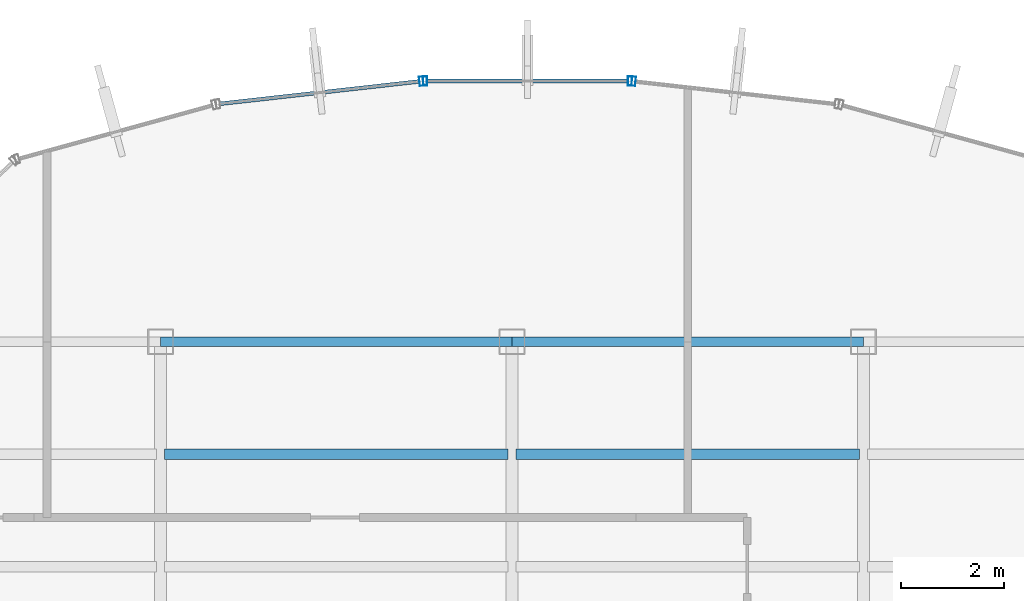
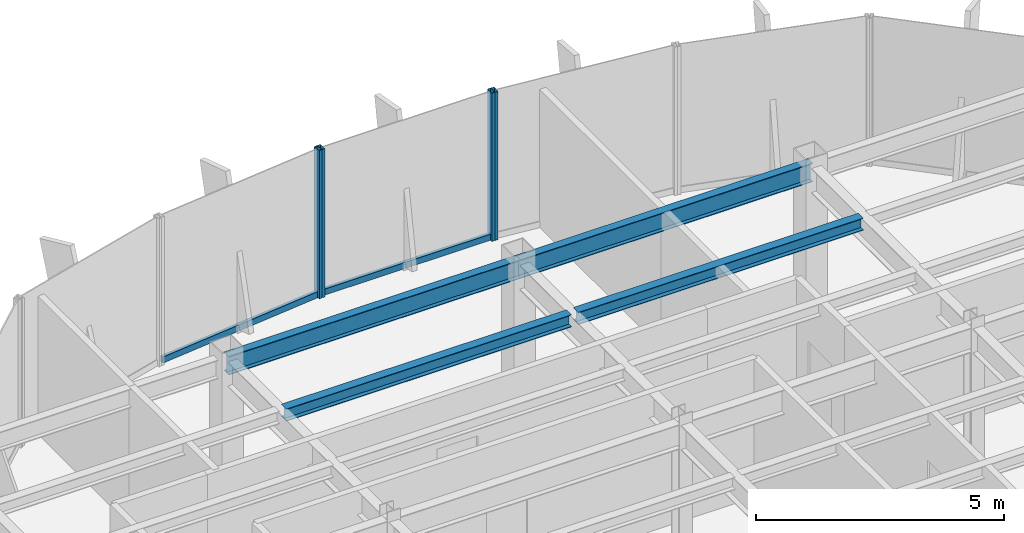
# One storey, part 13 of 22: 6 members, 4 beams, 3 elements without a shape of their own.
"""IFC4 building model written with IfcOpenShell, lengths in metres."""

from ifc_helpers import new_model, si_unit, derived_unit, direction, frame, origin, origin_2d, place, context, subcontext, project, spatial, hollow_rectangle, i_section, extrude, source, transform, mapped, material, material_profile, profile_set, type_object, element, aggregate, save


model = new_model("IFC4")

# Units and contexts
model_context = context("Model", 3, precision=1e-05, world=origin(), true_north=direction((0.0, 1.0)))
body_context = subcontext(model_context, "Body", "Model", "MODEL_VIEW")
ifc_project = project(units=[si_unit("LENGTHUNIT", "METRE"), si_unit("AREAUNIT", "SQUARE_METRE"), si_unit("VOLUMEUNIT", "CUBIC_METRE"), si_unit("PLANEANGLEUNIT", "RADIAN"), si_unit("MASSUNIT", "GRAM", prefix="KILO"), derived_unit("THERMALTRANSMITTANCEUNIT", [(si_unit("POWERUNIT", "WATT"), 1), (si_unit("LENGTHUNIT", "METRE"), -2), (si_unit("THERMODYNAMICTEMPERATUREUNIT", "KELVIN"), -1)])], contexts=[model_context])

# Site, building, storey
site_placement = place(None, origin())
site = spatial("IfcSite", under=ifc_project, at=site_placement, CompositionType="ELEMENT")
building_placement = place(site_placement, origin())
building = spatial("IfcBuilding", under=site, at=building_placement, Name="Skarnbrae Concourse Arena and Tower", CompositionType="ELEMENT")
storey_placement = place(building_placement, frame((0.0, 0.0, 277.050048828125)))
storey = spatial("IfcBuildingStorey", under=building, at=storey_placement, Name="L72", CompositionType="ELEMENT", Elevation=277.050048828125)

# Beams
ifc_material_1 = material(Name="Steel CSA G40.21 350W", Category="steel")
ifc_material_profile_1 = material_profile(ifc_material_1, i_section(OverallWidth=0.19091796875, OverallDepth=0.4599609375, WebThickness=0.010009765625, FlangeThickness=0.01611328125, at=origin_2d()), Name="W460X82")
ifc_profile_set_1 = profile_set([ifc_material_profile_1], Name="Steel CSA G40.21 350W")
beam_type_1 = type_object("IfcBeamType", Name="BM-SPAN-W460X82", PredefinedType="SPANDREL", material=ifc_profile_set_1)
shared_shape_1 = source(origin(), body_context, "Body", "SweptSolid", [
    extrude(i_section(OverallWidth=0.19091796875, OverallDepth=0.4599609375, WebThickness=0.010009765625, FlangeThickness=0.01611328125, at=origin_2d()), origin(), (0.0, 0.0, 1.0), 6.800048828125),
])
for number, where, z_axis, x_axis, name in (
    (1, (14.39990234375, 34.39990234375, 3.169921875), (1.0, 0.0, 0.0), (0.0, 1.0, 0.0), "L72 Perimeter spandrel Y34.4-2"),
    (2, (21.199951171875, 34.39990234375, 3.169921875), (1.0, 0.0, 0.0), (0.0, 1.0, 0.0), "L72 Perimeter spandrel Y34.4-3"),
):
    element("IfcBeam", number, at=place(storey_placement, frame(where, z_axis=z_axis, x_axis=x_axis)), inside=storey, type_object=beam_type_1, Name=name, PredefinedType="SPANDREL", context=body_context, shape_type="MappedRepresentation", body=[
        mapped(shared_shape_1, transform((0.0, 0.0, 0.0))),
    ])
ifc_material_profile_2 = material_profile(ifc_material_1, i_section(OverallWidth=0.202880859375, OverallDepth=0.302978515625, WebThickness=0.007568359375, FlangeThickness=0.01318359375, at=origin_2d()), Name="W310X60")
ifc_profile_set_2 = profile_set([ifc_material_profile_2], Name="Steel CSA G40.21 350W")
beam_type_2 = type_object("IfcBeamType", Name="BM-JOIST-W310X60", PredefinedType="JOIST", material=ifc_profile_set_2)
shared_shape_2 = source(origin(), body_context, "Body", "SweptSolid", [
    extrude(i_section(OverallWidth=0.202880859375, OverallDepth=0.302978515625, WebThickness=0.007568359375, FlangeThickness=0.01318359375, at=origin_2d()), origin(), (0.0, 0.0, 1.0), 6.64013671875),
])
beam_1_placement = place(storey_placement, frame((14.47998046875, 32.221923828125, 3.24853515625), z_axis=(1.0, 0.0, 0.0), x_axis=(0.0, 1.0, 0.0)))
element("IfcBeam", 3, at=beam_1_placement, inside=storey, type_object=beam_type_2, Name="L72 Secondary floor joist 3.2.2", PredefinedType="JOIST", context=body_context, shape_type="MappedRepresentation", body=[
    mapped(shared_shape_2, transform((0.0, 0.0, 0.0))),
])
shared_shape_3 = source(origin(), body_context, "Body", "SweptSolid", [
    extrude(i_section(OverallWidth=0.202880859375, OverallDepth=0.302978515625, WebThickness=0.007568359375, FlangeThickness=0.01318359375, at=origin_2d()), origin(), (0.0, 0.0, 1.0), 6.639892578125),
])
beam_2_placement = place(storey_placement, frame((21.280029296875, 32.221923828125, 3.24853515625), z_axis=(1.0, 0.0, 0.0), x_axis=(0.0, 1.0, 0.0)))
element("IfcBeam", 4, at=beam_2_placement, inside=storey, type_object=beam_type_2, Name="L72 Secondary floor joist 3.2.3", PredefinedType="JOIST", context=body_context, shape_type="MappedRepresentation", body=[
    mapped(shared_shape_3, transform((0.0, 0.0, 0.0))),
])

# Curtain wall, member
ifc_material_2 = material(Name="Bronze anodised aluminium 6063-T6", Category="aluminium")
curtain_wall_type = type_object("IfcCurtainWallType", Name="CW-SYS-05-HIGHZONE", PredefinedType="USERDEFINED", material=ifc_material_2)
curtain_wall_1_placement = place(storey_placement, origin())
curtain_wall_1 = element("IfcCurtainWall", 5, at=curtain_wall_1_placement, inside=storey, type_object=curtain_wall_type, Name="L72 Unitised curtain wall CW-L72-E10", ObjectType="UNITISED CURTAIN WALL", PredefinedType="USERDEFINED")
ifc_material_profile_3 = material_profile(ifc_material_2, hollow_rectangle(XDim=0.074951171875, YDim=0.179931640625, WallThickness=0.00390625, at=origin_2d()), Name="ALU-MULL-75X180")
ifc_profile_set_3 = profile_set([ifc_material_profile_3], Name="Bronze anodised aluminium 6063-T6")
member_type_1 = type_object("IfcMemberType", Name="CWM-CW-05", PredefinedType="MULLION", material=ifc_profile_set_3)
shared_shape_4 = source(origin(), body_context, "Body", "SweptSolid", [
    extrude(hollow_rectangle(XDim=0.074951171875, YDim=0.179931640625, WallThickness=0.00390625, at=origin_2d()), origin(), (0.0, 0.0, 1.0), 3.64990234375),
])
member_1_placement = place(storey_placement, frame((23.554443359375, 39.4423828125, 0.0), z_axis=(0.0, 0.0, 1.0), x_axis=(-0.993768891873, 0.111460259941, 0.0)))
member_1 = element("IfcMember", 6, at=member_1_placement, type_object=member_type_1, Name="CW-L72-E10 Mullion 2", PredefinedType="MULLION", context=body_context, shape_type="MappedRepresentation", body=[
    mapped(shared_shape_4, transform((0.0, 0.0, 0.0))),
])
aggregate(curtain_wall_1, [member_1])

# Curtain wall, members
curtain_wall_2_placement = place(storey_placement, origin())
curtain_wall_2 = element("IfcCurtainWall", 7, at=curtain_wall_2_placement, inside=storey, type_object=curtain_wall_type, Name="L72 Unitised curtain wall CW-L72-E11", ObjectType="UNITISED CURTAIN WALL", PredefinedType="USERDEFINED")
member_2_placement = place(storey_placement, frame((23.479736328125, 39.44677734375, 0.0), z_axis=(0.0, 0.0, 1.0), x_axis=(-1.0, 0.0, 0.0)))
member_2 = element("IfcMember", 8, at=member_2_placement, type_object=member_type_1, Name="CW-L72-E11 Mullion 1", PredefinedType="MULLION", context=body_context, shape_type="MappedRepresentation", body=[
    mapped(shared_shape_4, transform((0.0, 0.0, 0.0))),
])
member_3_placement = place(storey_placement, frame((19.520263671875, 39.44677734375, 0.0), z_axis=(0.0, 0.0, 1.0), x_axis=(-1.0, 0.0, 0.0)))
member_3 = element("IfcMember", 9, at=member_3_placement, type_object=member_type_1, Name="CW-L72-E11 Mullion 2", PredefinedType="MULLION", context=body_context, shape_type="MappedRepresentation", body=[
    mapped(shared_shape_4, transform((0.0, 0.0, 0.0))),
])

curtain_wall_3_placement = place(storey_placement, origin())
curtain_wall_3 = element("IfcCurtainWall", 10, at=curtain_wall_3_placement, inside=storey, type_object=curtain_wall_type, Name="L72 Unitised curtain wall CW-L72-E12", ObjectType="UNITISED CURTAIN WALL", PredefinedType="USERDEFINED")
member_4_placement = place(storey_placement, frame((19.445556640625, 39.4423828125, 0.0), z_axis=(0.0, 0.0, 1.0), x_axis=(-0.993768891873, -0.111460259941, 0.0)))
member_4 = element("IfcMember", 11, at=member_4_placement, type_object=member_type_1, Name="CW-L72-E12 Mullion 1", PredefinedType="MULLION", context=body_context, shape_type="MappedRepresentation", body=[
    mapped(shared_shape_4, transform((0.0, 0.0, 0.0))),
])
ifc_material_profile_4 = material_profile(ifc_material_2, hollow_rectangle(XDim=0.074951171875, YDim=0.14990234375, WallThickness=0.00390625, at=origin_2d()), Name="ALU-TRAN-75X150")
ifc_profile_set_4 = profile_set([ifc_material_profile_4], Name="Bronze anodised aluminium 6063-T6")
member_type_2 = type_object("IfcMemberType", Name="CWT-CW-05", PredefinedType="USERDEFINED", material=ifc_profile_set_4)
shared_shape_5 = source(origin(), body_context, "Body", "SweptSolid", [
    extrude(hollow_rectangle(XDim=0.074951171875, YDim=0.14990234375, WallThickness=0.00390625, at=origin_2d()), origin(), (0.0, 0.0, 1.0), 3.8837890625),
])
member_5_placement = place(storey_placement, frame((19.408203125, 39.438232421875, 0.074951171875), z_axis=(-0.993776714154, -0.111390495128, 0.0), x_axis=(0.111390495128, -0.993776714154, 0.0)))
member_5 = element("IfcMember", 12, at=member_5_placement, type_object=member_type_2, Name="CW-L72-E12 Transom 1", ObjectType="TRANSOM", PredefinedType="USERDEFINED", context=body_context, shape_type="MappedRepresentation", body=[
    mapped(shared_shape_5, transform((0.0, 0.0, 0.0))),
])
aggregate(curtain_wall_3, [member_4, member_5])

# Member
shared_shape_6 = source(origin(), body_context, "Body", "SweptSolid", [
    extrude(hollow_rectangle(XDim=0.074951171875, YDim=0.14990234375, WallThickness=0.00390625, at=origin_2d()), origin(), (0.0, 0.0, 1.0), 3.88427734375),
])
member_6_placement = place(storey_placement, frame((23.442138671875, 39.44677734375, 0.074951171875), z_axis=(-1.0, 0.0, 0.0), x_axis=(0.0, -1.0, 0.0)))
member_6 = element("IfcMember", 13, at=member_6_placement, type_object=member_type_2, Name="CW-L72-E11 Transom 1", ObjectType="TRANSOM", PredefinedType="USERDEFINED", context=body_context, shape_type="MappedRepresentation", body=[
    mapped(shared_shape_6, transform((0.0, 0.0, 0.0))),
])

aggregate(curtain_wall_2, [member_2, member_3, member_6])

save(model, "model.ifc")
